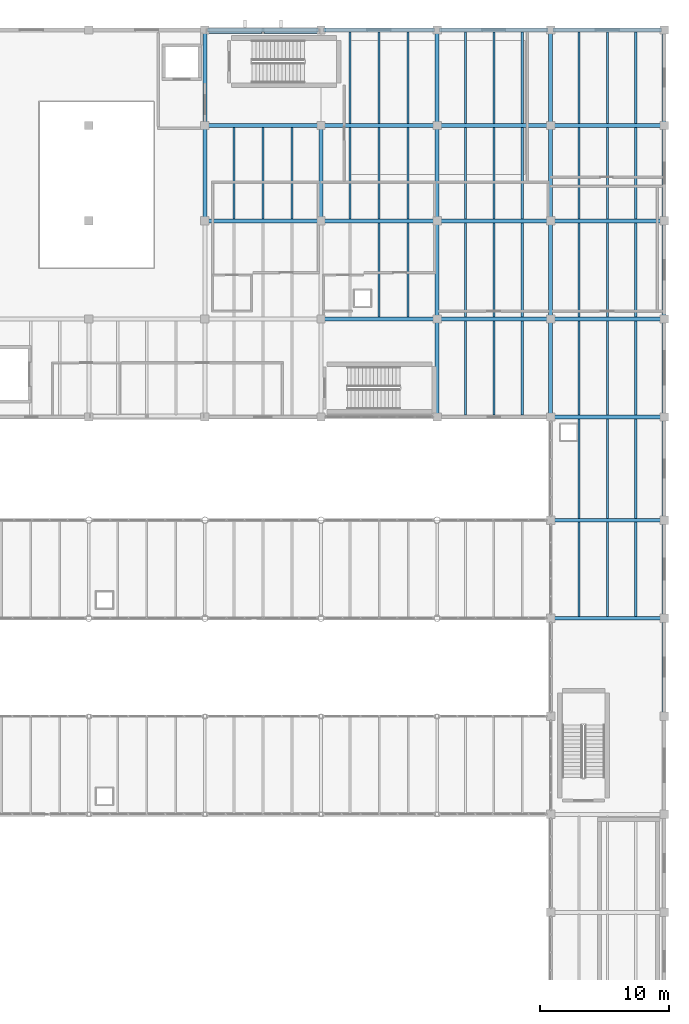
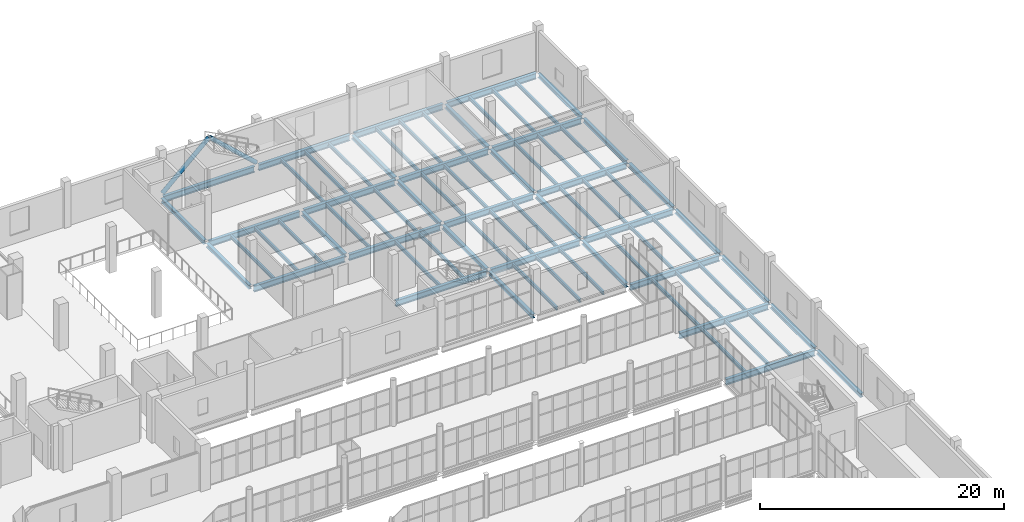
# One storey, part 123 of 172: 77 beams, 2 members.
"""IFC4 building model written with IfcOpenShell, lengths in metres."""

from ifc_helpers import new_model, si_unit, direction, frame, origin, origin_2d, place, context, subcontext, project, spatial, hollow_circle, i_section, extrude, material, material_profile, profile_set, type_object, element, save


model = new_model("IFC4")

# Units and contexts
model_context = context("Model", 3, precision=1e-05, world=origin(), true_north=direction((0.0, 1.0)))
body_context = subcontext(model_context, "Body", "Model", "MODEL_VIEW")
ifc_project = project(units=[si_unit("LENGTHUNIT", "METRE"), si_unit("AREAUNIT", "SQUARE_METRE"), si_unit("VOLUMEUNIT", "CUBIC_METRE"), si_unit("PLANEANGLEUNIT", "RADIAN"), si_unit("MASSUNIT", "GRAM", prefix="KILO")], contexts=[model_context])

# Site, building, storey
site_placement = place(None, origin())
site = spatial("IfcSite", under=ifc_project, at=site_placement, CompositionType="ELEMENT")
building_placement = place(site_placement, origin())
building = spatial("IfcBuilding", under=site, at=building_placement, Name="Shengluoqiao Park Theatre", CompositionType="ELEMENT")
storey_placement = place(building_placement, frame((0.0, 0.0, 5.39990234375)))
storey = spatial("IfcBuildingStorey", under=building, at=storey_placement, Name="L01", CompositionType="ELEMENT", Elevation=5.39990234375)

# Beams
ifc_material_1 = material(Name="Steel Q355", Category="steel")
ifc_material_profile_1 = material_profile(ifc_material_1, i_section(OverallWidth=0.300048828125, OverallDepth=0.389892578125, WebThickness=0.010009765625, FlangeThickness=0.01611328125, FilletRadius=0.01806640625, at=origin_2d()), Name="HM 390x300x10x16")
ifc_profile_set_1 = profile_set([ifc_material_profile_1], Name="Steel Q355")
beam_type_1 = type_object("IfcBeamType", Name="STR-BM-G-HM390", PredefinedType="BEAM", material=ifc_profile_set_1)
for number, where, z_axis, x_axis, name in (
    (1, (130.39990234375, 99.39404296875, -0.434814453125), (0.0, 1.0, 0.0), (-1.0, 0.0, 0.0), "L01 Transverse Girder 00651"),
    (2, (130.39990234375, 106.7939453125, -0.434814453125), (0.0, 1.0, 0.0), (-1.0, 0.0, 0.0), "L01 Transverse Girder 00652"),
    (3, (139.39990234375, 99.39404296875, -0.434814453125), (0.0, 1.0, 0.0), (-1.0, 0.0, 0.0), "L01 Transverse Girder 00655"),
):
    element("IfcBeam", number, at=place(storey_placement, frame(where, z_axis=z_axis, x_axis=x_axis)), inside=storey, type_object=beam_type_1, Name=name, PredefinedType="BEAM", context=body_context, shape_type="SweptSolid", body=[
        extrude(i_section(OverallWidth=0.300048828125, OverallDepth=0.389892578125, WebThickness=0.010009765625, FlangeThickness=0.01611328125, FilletRadius=0.01806640625, at=origin_2d()), origin(), (0.0, 0.0, 1.0), 7.011962890625),
    ])
beam_1_placement = place(storey_placement, frame((148.39990234375, 84.194091796875, -0.434814453125), z_axis=(0.0, 1.0, 0.0), x_axis=(-1.0, 0.0, 0.0)))
element("IfcBeam", 4, at=beam_1_placement, inside=storey, type_object=beam_type_1, Name="L01 Transverse Girder 00685", PredefinedType="BEAM", context=body_context, shape_type="SweptSolid", body=[
    extrude(i_section(OverallWidth=0.300048828125, OverallDepth=0.389892578125, WebThickness=0.010009765625, FlangeThickness=0.01611328125, FilletRadius=0.01806640625, at=origin_2d()), origin(), (0.0, 0.0, 1.0), 7.2119140625),
])
beam_2_placement = place(storey_placement, frame((148.39990234375, 91.7939453125, -0.434814453125), z_axis=(0.0, 1.0, 0.0), x_axis=(-1.0, 0.0, 0.0)))
element("IfcBeam", 5, at=beam_2_placement, inside=storey, type_object=beam_type_1, Name="L01 Transverse Girder 00686", PredefinedType="BEAM", context=body_context, shape_type="SweptSolid", body=[
    extrude(i_section(OverallWidth=0.300048828125, OverallDepth=0.389892578125, WebThickness=0.010009765625, FlangeThickness=0.01611328125, FilletRadius=0.01806640625, at=origin_2d()), origin(), (0.0, 0.0, 1.0), 7.212158203125),
])
for number, where, z_axis, x_axis, name in (
    (6, (148.39990234375, 99.39404296875, -0.434814453125), (0.0, 1.0, 0.0), (-1.0, 0.0, 0.0), "L01 Transverse Girder 00687"),
    (7, (148.39990234375, 106.7939453125, -0.434814453125), (0.0, 1.0, 0.0), (-1.0, 0.0, 0.0), "L01 Transverse Girder 00688"),
):
    element("IfcBeam", number, at=place(storey_placement, frame(where, z_axis=z_axis, x_axis=x_axis)), inside=storey, type_object=beam_type_1, Name=name, PredefinedType="BEAM", context=body_context, shape_type="SweptSolid", body=[
        extrude(i_section(OverallWidth=0.300048828125, OverallDepth=0.389892578125, WebThickness=0.010009765625, FlangeThickness=0.01611328125, FilletRadius=0.01806640625, at=origin_2d()), origin(), (0.0, 0.0, 1.0), 7.011962890625),
    ])
beam_3_placement = place(storey_placement, frame((157.199951171875, 84.194091796875, -0.434814453125), z_axis=(0.0, 1.0, 0.0), x_axis=(-1.0, 0.0, 0.0)))
element("IfcBeam", 8, at=beam_3_placement, inside=storey, type_object=beam_type_1, Name="L01 Transverse Girder 00689", PredefinedType="BEAM", context=body_context, shape_type="SweptSolid", body=[
    extrude(i_section(OverallWidth=0.300048828125, OverallDepth=0.389892578125, WebThickness=0.010009765625, FlangeThickness=0.01611328125, FilletRadius=0.01806640625, at=origin_2d()), origin(), (0.0, 0.0, 1.0), 7.2119140625),
])
beam_4_placement = place(storey_placement, frame((157.199951171875, 91.7939453125, -0.434814453125), z_axis=(0.0, 1.0, 0.0), x_axis=(-1.0, 0.0, 0.0)))
element("IfcBeam", 9, at=beam_4_placement, inside=storey, type_object=beam_type_1, Name="L01 Transverse Girder 00690", PredefinedType="BEAM", context=body_context, shape_type="SweptSolid", body=[
    extrude(i_section(OverallWidth=0.300048828125, OverallDepth=0.389892578125, WebThickness=0.010009765625, FlangeThickness=0.01611328125, FilletRadius=0.01806640625, at=origin_2d()), origin(), (0.0, 0.0, 1.0), 7.212158203125),
])
for number, where, z_axis, x_axis, name in (
    (10, (157.199951171875, 99.39404296875, -0.434814453125), (0.0, 1.0, 0.0), (-1.0, 0.0, 0.0), "L01 Transverse Girder 00691"),
    (11, (157.199951171875, 106.7939453125, -0.434814453125), (0.0, 1.0, 0.0), (-1.0, 0.0, 0.0), "L01 Transverse Girder 00692"),
):
    element("IfcBeam", number, at=place(storey_placement, frame(where, z_axis=z_axis, x_axis=x_axis)), inside=storey, type_object=beam_type_1, Name=name, PredefinedType="BEAM", context=body_context, shape_type="SweptSolid", body=[
        extrude(i_section(OverallWidth=0.300048828125, OverallDepth=0.389892578125, WebThickness=0.010009765625, FlangeThickness=0.01611328125, FilletRadius=0.01806640625, at=origin_2d()), origin(), (0.0, 0.0, 1.0), 7.011962890625),
    ])
beam_5_placement = place(storey_placement, frame((166.0, 84.194091796875, -0.434814453125), z_axis=(0.0, 1.0, 0.0), x_axis=(-1.0, 0.0, 0.0)))
element("IfcBeam", 12, at=beam_5_placement, inside=storey, type_object=beam_type_1, Name="L01 Transverse Girder 00693", PredefinedType="BEAM", context=body_context, shape_type="SweptSolid", body=[
    extrude(i_section(OverallWidth=0.300048828125, OverallDepth=0.389892578125, WebThickness=0.010009765625, FlangeThickness=0.01611328125, FilletRadius=0.01806640625, at=origin_2d()), origin(), (0.0, 0.0, 1.0), 7.2119140625),
])
beam_6_placement = place(storey_placement, frame((166.0, 91.7939453125, -0.434814453125), z_axis=(0.0, 1.0, 0.0), x_axis=(-1.0, 0.0, 0.0)))
element("IfcBeam", 13, at=beam_6_placement, inside=storey, type_object=beam_type_1, Name="L01 Transverse Girder 00694", PredefinedType="BEAM", context=body_context, shape_type="SweptSolid", body=[
    extrude(i_section(OverallWidth=0.300048828125, OverallDepth=0.389892578125, WebThickness=0.010009765625, FlangeThickness=0.01611328125, FilletRadius=0.01806640625, at=origin_2d()), origin(), (0.0, 0.0, 1.0), 7.212158203125),
])
for number, where, z_axis, x_axis, name in (
    (14, (166.0, 99.39404296875, -0.434814453125), (0.0, 1.0, 0.0), (-1.0, 0.0, 0.0), "L01 Transverse Girder 00695"),
    (15, (166.0, 106.7939453125, -0.434814453125), (0.0, 1.0, 0.0), (-1.0, 0.0, 0.0), "L01 Transverse Girder 00696"),
):
    element("IfcBeam", number, at=place(storey_placement, frame(where, z_axis=z_axis, x_axis=x_axis)), inside=storey, type_object=beam_type_1, Name=name, PredefinedType="BEAM", context=body_context, shape_type="SweptSolid", body=[
        extrude(i_section(OverallWidth=0.300048828125, OverallDepth=0.389892578125, WebThickness=0.010009765625, FlangeThickness=0.01611328125, FilletRadius=0.01806640625, at=origin_2d()), origin(), (0.0, 0.0, 1.0), 7.011962890625),
    ])
beam_7_placement = place(storey_placement, frame((166.0, 60.993896484375, -0.434814453125), z_axis=(0.0, 1.0, 0.0), x_axis=(-1.0, 0.0, 0.0)))
element("IfcBeam", 16, at=beam_7_placement, inside=storey, type_object=beam_type_1, Name="L01 Transverse Girder 00748", PredefinedType="BEAM", context=body_context, shape_type="SweptSolid", body=[
    extrude(i_section(OverallWidth=0.300048828125, OverallDepth=0.389892578125, WebThickness=0.010009765625, FlangeThickness=0.01611328125, FilletRadius=0.01806640625, at=origin_2d()), origin(), (0.0, 0.0, 1.0), 7.212158203125),
])
beam_8_placement = place(storey_placement, frame((166.0, 68.593994140625, -0.434814453125), z_axis=(0.0, 1.0, 0.0), x_axis=(-1.0, 0.0, 0.0)))
element("IfcBeam", 17, at=beam_8_placement, inside=storey, type_object=beam_type_1, Name="L01 Transverse Girder 00749", PredefinedType="BEAM", context=body_context, shape_type="SweptSolid", body=[
    extrude(i_section(OverallWidth=0.300048828125, OverallDepth=0.389892578125, WebThickness=0.010009765625, FlangeThickness=0.01611328125, FilletRadius=0.01806640625, at=origin_2d()), origin(), (0.0, 0.0, 1.0), 7.2119140625),
])
beam_9_placement = place(storey_placement, frame((166.0, 76.194091796875, -0.434814453125), z_axis=(0.0, 1.0, 0.0), x_axis=(-1.0, 0.0, 0.0)))
element("IfcBeam", 18, at=beam_9_placement, inside=storey, type_object=beam_type_1, Name="L01 Transverse Girder 00750", PredefinedType="BEAM", context=body_context, shape_type="SweptSolid", body=[
    extrude(i_section(OverallWidth=0.300048828125, OverallDepth=0.389892578125, WebThickness=0.010009765625, FlangeThickness=0.01611328125, FilletRadius=0.01806640625, at=origin_2d()), origin(), (0.0, 0.0, 1.0), 7.61181640625),
])
ifc_material_profile_2 = material_profile(ifc_material_1, i_section(OverallWidth=0.300048828125, OverallDepth=0.587890625, WebThickness=0.011962890625, FlangeThickness=0.02001953125, FilletRadius=0.02392578125, at=origin_2d()), Name="HM 588x300x12x20")
ifc_profile_set_2 = profile_set([ifc_material_profile_2], Name="Steel Q355")
beam_type_2 = type_object("IfcBeamType", Name="STR-BM-G-HM588", PredefinedType="BEAM", material=ifc_profile_set_2)
for number, where, z_axis, x_axis, name in (
    (19, (130.597900390625, 99.199951171875, -0.533935546875), (1.0, 0.0, 0.0), (0.0, 1.0, 0.0), "L01 Primary Girder 00643"),
    (20, (130.597900390625, 106.60009765625, -0.533935546875), (1.0, 0.0, 0.0), (0.0, 1.0, 0.0), "L01 Primary Girder 00644"),
    (21, (130.597900390625, 114.0, -0.533935546875), (1.0, 0.0, 0.0), (0.0, 1.0, 0.0), "L01 Primary Girder 00647"),
):
    element("IfcBeam", number, at=place(storey_placement, frame(where, z_axis=z_axis, x_axis=x_axis)), inside=storey, type_object=beam_type_2, Name=name, PredefinedType="BEAM", context=body_context, shape_type="SweptSolid", body=[
        extrude(i_section(OverallWidth=0.300048828125, OverallDepth=0.587890625, WebThickness=0.011962890625, FlangeThickness=0.02001953125, FilletRadius=0.02392578125, at=origin_2d()), origin(), (0.0, 0.0, 1.0), 8.60400390625),
    ])
beam_10_placement = place(storey_placement, frame((157.39794921875, 84.0, -0.533935546875), z_axis=(1.0, 0.0, 0.0), x_axis=(0.0, 1.0, 0.0)))
element("IfcBeam", 22, at=beam_10_placement, inside=storey, type_object=beam_type_2, Name="L01 Primary Girder 00672", PredefinedType="BEAM", context=body_context, shape_type="SweptSolid", body=[
    extrude(i_section(OverallWidth=0.300048828125, OverallDepth=0.587890625, WebThickness=0.011962890625, FlangeThickness=0.02001953125, FilletRadius=0.02392578125, at=origin_2d()), origin(), (0.0, 0.0, 1.0), 8.404052734375),
])
beam_11_placement = place(storey_placement, frame((139.597900390625, 91.60009765625, -0.533935546875), z_axis=(1.0, 0.0, 0.0), x_axis=(0.0, 1.0, 0.0)))
element("IfcBeam", 23, at=beam_11_placement, inside=storey, type_object=beam_type_2, Name="L01 Primary Girder 00673", PredefinedType="BEAM", context=body_context, shape_type="SweptSolid", body=[
    extrude(i_section(OverallWidth=0.300048828125, OverallDepth=0.587890625, WebThickness=0.011962890625, FlangeThickness=0.02001953125, FilletRadius=0.02392578125, at=origin_2d()), origin(), (0.0, 0.0, 1.0), 8.60400390625),
])
for number, where, z_axis, x_axis, name in (
    (24, (148.597900390625, 91.60009765625, -0.533935546875), (1.0, 0.0, 0.0), (0.0, 1.0, 0.0), "L01 Primary Girder 00674"),
    (25, (157.39794921875, 91.60009765625, -0.533935546875), (1.0, 0.0, 0.0), (0.0, 1.0, 0.0), "L01 Primary Girder 00675"),
):
    element("IfcBeam", number, at=place(storey_placement, frame(where, z_axis=z_axis, x_axis=x_axis)), inside=storey, type_object=beam_type_2, Name=name, PredefinedType="BEAM", context=body_context, shape_type="SweptSolid", body=[
        extrude(i_section(OverallWidth=0.300048828125, OverallDepth=0.587890625, WebThickness=0.011962890625, FlangeThickness=0.02001953125, FilletRadius=0.02392578125, at=origin_2d()), origin(), (0.0, 0.0, 1.0), 8.404052734375),
    ])
beam_12_placement = place(storey_placement, frame((139.597900390625, 99.199951171875, -0.533935546875), z_axis=(1.0, 0.0, 0.0), x_axis=(0.0, 1.0, 0.0)))
element("IfcBeam", 26, at=beam_12_placement, inside=storey, type_object=beam_type_2, Name="L01 Primary Girder 00676", PredefinedType="BEAM", context=body_context, shape_type="SweptSolid", body=[
    extrude(i_section(OverallWidth=0.300048828125, OverallDepth=0.587890625, WebThickness=0.011962890625, FlangeThickness=0.02001953125, FilletRadius=0.02392578125, at=origin_2d()), origin(), (0.0, 0.0, 1.0), 8.60400390625),
])
for number, where, z_axis, x_axis, name in (
    (27, (148.597900390625, 99.199951171875, -0.533935546875), (1.0, 0.0, 0.0), (0.0, 1.0, 0.0), "L01 Primary Girder 00677"),
    (28, (157.39794921875, 99.199951171875, -0.533935546875), (1.0, 0.0, 0.0), (0.0, 1.0, 0.0), "L01 Primary Girder 00678"),
):
    element("IfcBeam", number, at=place(storey_placement, frame(where, z_axis=z_axis, x_axis=x_axis)), inside=storey, type_object=beam_type_2, Name=name, PredefinedType="BEAM", context=body_context, shape_type="SweptSolid", body=[
        extrude(i_section(OverallWidth=0.300048828125, OverallDepth=0.587890625, WebThickness=0.011962890625, FlangeThickness=0.02001953125, FilletRadius=0.02392578125, at=origin_2d()), origin(), (0.0, 0.0, 1.0), 8.404052734375),
    ])
beam_13_placement = place(storey_placement, frame((139.597900390625, 106.60009765625, -0.533935546875), z_axis=(1.0, 0.0, 0.0), x_axis=(0.0, 1.0, 0.0)))
element("IfcBeam", 29, at=beam_13_placement, inside=storey, type_object=beam_type_2, Name="L01 Primary Girder 00679", PredefinedType="BEAM", context=body_context, shape_type="SweptSolid", body=[
    extrude(i_section(OverallWidth=0.300048828125, OverallDepth=0.587890625, WebThickness=0.011962890625, FlangeThickness=0.02001953125, FilletRadius=0.02392578125, at=origin_2d()), origin(), (0.0, 0.0, 1.0), 8.60400390625),
])
for number, where, z_axis, x_axis, name in (
    (30, (148.597900390625, 106.60009765625, -0.533935546875), (1.0, 0.0, 0.0), (0.0, 1.0, 0.0), "L01 Primary Girder 00680"),
    (31, (157.39794921875, 106.60009765625, -0.533935546875), (1.0, 0.0, 0.0), (0.0, 1.0, 0.0), "L01 Primary Girder 00681"),
):
    element("IfcBeam", number, at=place(storey_placement, frame(where, z_axis=z_axis, x_axis=x_axis)), inside=storey, type_object=beam_type_2, Name=name, PredefinedType="BEAM", context=body_context, shape_type="SweptSolid", body=[
        extrude(i_section(OverallWidth=0.300048828125, OverallDepth=0.587890625, WebThickness=0.011962890625, FlangeThickness=0.02001953125, FilletRadius=0.02392578125, at=origin_2d()), origin(), (0.0, 0.0, 1.0), 8.404052734375),
    ])
beam_14_placement = place(storey_placement, frame((139.597900390625, 114.0, -0.533935546875), z_axis=(1.0, 0.0, 0.0), x_axis=(0.0, 1.0, 0.0)))
element("IfcBeam", 32, at=beam_14_placement, inside=storey, type_object=beam_type_2, Name="L01 Primary Girder 00682", PredefinedType="BEAM", context=body_context, shape_type="SweptSolid", body=[
    extrude(i_section(OverallWidth=0.300048828125, OverallDepth=0.587890625, WebThickness=0.011962890625, FlangeThickness=0.02001953125, FilletRadius=0.02392578125, at=origin_2d()), origin(), (0.0, 0.0, 1.0), 8.60400390625),
])
for number, where, z_axis, x_axis, name in (
    (33, (148.597900390625, 114.0, -0.533935546875), (1.0, 0.0, 0.0), (0.0, 1.0, 0.0), "L01 Primary Girder 00683"),
    (34, (157.39794921875, 114.0, -0.533935546875), (1.0, 0.0, 0.0), (0.0, 1.0, 0.0), "L01 Primary Girder 00684"),
    (35, (157.39794921875, 68.39990234375, -0.533935546875), (1.0, 0.0, 0.0), (0.0, 1.0, 0.0), "L01 Primary Girder 00735"),
    (36, (157.39794921875, 76.0, -0.533935546875), (1.0, 0.0, 0.0), (0.0, 1.0, 0.0), "L01 Primary Girder 00736"),
):
    element("IfcBeam", number, at=place(storey_placement, frame(where, z_axis=z_axis, x_axis=x_axis)), inside=storey, type_object=beam_type_2, Name=name, PredefinedType="BEAM", context=body_context, shape_type="SweptSolid", body=[
        extrude(i_section(OverallWidth=0.300048828125, OverallDepth=0.587890625, WebThickness=0.011962890625, FlangeThickness=0.02001953125, FilletRadius=0.02392578125, at=origin_2d()), origin(), (0.0, 0.0, 1.0), 8.404052734375),
    ])
ifc_material_profile_3 = material_profile(ifc_material_1, i_section(OverallWidth=0.175048828125, OverallDepth=0.35009765625, WebThickness=0.007080078125, FlangeThickness=0.010986328125, FilletRadius=0.013916015625, at=origin_2d()), Name="HN 350x175x7x11")
ifc_profile_set_3 = profile_set([ifc_material_profile_3], Name="Steel Q355")
beam_type_3 = type_object("IfcBeamType", Name="STR-BM-J-HN350", PredefinedType="JOIST", material=ifc_profile_set_3)
for number, where, z_axis, x_axis, name in (
    (37, (132.64990234375, 99.344970703125, -0.414794921875), (0.0, 1.0, 0.0), (-1.0, 0.0, 0.0), "L01 Composite Joist 00667"),
    (38, (134.89990234375, 99.344970703125, -0.414794921875), (0.0, 1.0, 0.0), (-1.0, 0.0, 0.0), "L01 Composite Joist 00668"),
    (39, (137.14990234375, 99.344970703125, -0.414794921875), (0.0, 1.0, 0.0), (-1.0, 0.0, 0.0), "L01 Composite Joist 00669"),
):
    element("IfcBeam", number, at=place(storey_placement, frame(where, z_axis=z_axis, x_axis=x_axis)), inside=storey, type_object=beam_type_3, Name=name, PredefinedType="JOIST", context=body_context, shape_type="SweptSolid", body=[
        extrude(i_section(OverallWidth=0.175048828125, OverallDepth=0.35009765625, WebThickness=0.007080078125, FlangeThickness=0.010986328125, FilletRadius=0.013916015625, at=origin_2d()), origin(), (0.0, 0.0, 1.0), 7.110107421875),
    ])
for number, where, z_axis, x_axis, name in (
    (40, (143.89990234375, 91.7451171875, -0.414794921875), (0.0, 1.0, 0.0), (-1.0, 0.0, 0.0), "L01 Composite Joist 00698"),
    (41, (146.14990234375, 91.7451171875, -0.414794921875), (0.0, 1.0, 0.0), (-1.0, 0.0, 0.0), "L01 Composite Joist 00699"),
):
    element("IfcBeam", number, at=place(storey_placement, frame(where, z_axis=z_axis, x_axis=x_axis)), inside=storey, type_object=beam_type_3, Name=name, PredefinedType="JOIST", context=body_context, shape_type="SweptSolid", body=[
        extrude(i_section(OverallWidth=0.175048828125, OverallDepth=0.35009765625, WebThickness=0.007080078125, FlangeThickness=0.010986328125, FilletRadius=0.013916015625, at=origin_2d()), origin(), (0.0, 0.0, 1.0), 7.309814453125),
    ])
for number, where, z_axis, x_axis, name in (
    (42, (141.64990234375, 99.344970703125, -0.414794921875), (0.0, 1.0, 0.0), (-1.0, 0.0, 0.0), "L01 Composite Joist 00700"),
    (43, (143.89990234375, 99.344970703125, -0.414794921875), (0.0, 1.0, 0.0), (-1.0, 0.0, 0.0), "L01 Composite Joist 00701"),
    (44, (146.14990234375, 99.344970703125, -0.414794921875), (0.0, 1.0, 0.0), (-1.0, 0.0, 0.0), "L01 Composite Joist 00702"),
):
    element("IfcBeam", number, at=place(storey_placement, frame(where, z_axis=z_axis, x_axis=x_axis)), inside=storey, type_object=beam_type_3, Name=name, PredefinedType="JOIST", context=body_context, shape_type="SweptSolid", body=[
        extrude(i_section(OverallWidth=0.175048828125, OverallDepth=0.35009765625, WebThickness=0.007080078125, FlangeThickness=0.010986328125, FilletRadius=0.013916015625, at=origin_2d()), origin(), (0.0, 0.0, 1.0), 7.110107421875),
    ])
for number, where, z_axis, x_axis, name in (
    (45, (141.64990234375, 106.7451171875, -0.414794921875), (0.0, 1.0, 0.0), (-1.0, 0.0, 0.0), "L01 Composite Joist 00703"),
    (46, (143.89990234375, 106.7451171875, -0.414794921875), (0.0, 1.0, 0.0), (-1.0, 0.0, 0.0), "L01 Composite Joist 00704"),
    (47, (146.14990234375, 106.7451171875, -0.414794921875), (0.0, 1.0, 0.0), (-1.0, 0.0, 0.0), "L01 Composite Joist 00705"),
):
    element("IfcBeam", number, at=place(storey_placement, frame(where, z_axis=z_axis, x_axis=x_axis)), inside=storey, type_object=beam_type_3, Name=name, PredefinedType="JOIST", context=body_context, shape_type="SweptSolid", body=[
        extrude(i_section(OverallWidth=0.175048828125, OverallDepth=0.35009765625, WebThickness=0.007080078125, FlangeThickness=0.010986328125, FilletRadius=0.013916015625, at=origin_2d()), origin(), (0.0, 0.0, 1.0), 7.10986328125),
    ])
for number, where, z_axis, x_axis, name in (
    (48, (150.60009765625, 84.14501953125, -0.414794921875), (0.0, 1.0, 0.0), (-1.0, 0.0, 0.0), "L01 Composite Joist 00706"),
    (49, (152.800048828125, 84.14501953125, -0.414794921875), (0.0, 1.0, 0.0), (-1.0, 0.0, 0.0), "L01 Composite Joist 00707"),
    (50, (155.0, 84.14501953125, -0.414794921875), (0.0, 1.0, 0.0), (-1.0, 0.0, 0.0), "L01 Composite Joist 00708"),
):
    element("IfcBeam", number, at=place(storey_placement, frame(where, z_axis=z_axis, x_axis=x_axis)), inside=storey, type_object=beam_type_3, Name=name, PredefinedType="JOIST", context=body_context, shape_type="SweptSolid", body=[
        extrude(i_section(OverallWidth=0.175048828125, OverallDepth=0.35009765625, WebThickness=0.007080078125, FlangeThickness=0.010986328125, FilletRadius=0.013916015625, at=origin_2d()), origin(), (0.0, 0.0, 1.0), 7.31005859375),
    ])
for number, where, z_axis, x_axis, name in (
    (51, (150.60009765625, 91.7451171875, -0.414794921875), (0.0, 1.0, 0.0), (-1.0, 0.0, 0.0), "L01 Composite Joist 00709"),
    (52, (152.800048828125, 91.7451171875, -0.414794921875), (0.0, 1.0, 0.0), (-1.0, 0.0, 0.0), "L01 Composite Joist 00710"),
    (53, (155.0, 91.7451171875, -0.414794921875), (0.0, 1.0, 0.0), (-1.0, 0.0, 0.0), "L01 Composite Joist 00711"),
):
    element("IfcBeam", number, at=place(storey_placement, frame(where, z_axis=z_axis, x_axis=x_axis)), inside=storey, type_object=beam_type_3, Name=name, PredefinedType="JOIST", context=body_context, shape_type="SweptSolid", body=[
        extrude(i_section(OverallWidth=0.175048828125, OverallDepth=0.35009765625, WebThickness=0.007080078125, FlangeThickness=0.010986328125, FilletRadius=0.013916015625, at=origin_2d()), origin(), (0.0, 0.0, 1.0), 7.309814453125),
    ])
for number, where, z_axis, x_axis, name in (
    (54, (150.60009765625, 99.344970703125, -0.414794921875), (0.0, 1.0, 0.0), (-1.0, 0.0, 0.0), "L01 Composite Joist 00712"),
    (55, (152.800048828125, 99.344970703125, -0.414794921875), (0.0, 1.0, 0.0), (-1.0, 0.0, 0.0), "L01 Composite Joist 00713"),
    (56, (155.0, 99.344970703125, -0.414794921875), (0.0, 1.0, 0.0), (-1.0, 0.0, 0.0), "L01 Composite Joist 00714"),
):
    element("IfcBeam", number, at=place(storey_placement, frame(where, z_axis=z_axis, x_axis=x_axis)), inside=storey, type_object=beam_type_3, Name=name, PredefinedType="JOIST", context=body_context, shape_type="SweptSolid", body=[
        extrude(i_section(OverallWidth=0.175048828125, OverallDepth=0.35009765625, WebThickness=0.007080078125, FlangeThickness=0.010986328125, FilletRadius=0.013916015625, at=origin_2d()), origin(), (0.0, 0.0, 1.0), 7.110107421875),
    ])
for number, where, z_axis, x_axis, name in (
    (57, (150.60009765625, 106.7451171875, -0.414794921875), (0.0, 1.0, 0.0), (-1.0, 0.0, 0.0), "L01 Composite Joist 00715"),
    (58, (152.800048828125, 106.7451171875, -0.414794921875), (0.0, 1.0, 0.0), (-1.0, 0.0, 0.0), "L01 Composite Joist 00716"),
    (59, (155.0, 106.7451171875, -0.414794921875), (0.0, 1.0, 0.0), (-1.0, 0.0, 0.0), "L01 Composite Joist 00717"),
):
    element("IfcBeam", number, at=place(storey_placement, frame(where, z_axis=z_axis, x_axis=x_axis)), inside=storey, type_object=beam_type_3, Name=name, PredefinedType="JOIST", context=body_context, shape_type="SweptSolid", body=[
        extrude(i_section(OverallWidth=0.175048828125, OverallDepth=0.35009765625, WebThickness=0.007080078125, FlangeThickness=0.010986328125, FilletRadius=0.013916015625, at=origin_2d()), origin(), (0.0, 0.0, 1.0), 7.10986328125),
    ])
for number, where, z_axis, x_axis, name in (
    (60, (159.39990234375, 84.14501953125, -0.414794921875), (0.0, 1.0, 0.0), (-1.0, 0.0, 0.0), "L01 Composite Joist 00718"),
    (61, (161.60009765625, 84.14501953125, -0.414794921875), (0.0, 1.0, 0.0), (-1.0, 0.0, 0.0), "L01 Composite Joist 00719"),
    (62, (163.800048828125, 84.14501953125, -0.414794921875), (0.0, 1.0, 0.0), (-1.0, 0.0, 0.0), "L01 Composite Joist 00720"),
):
    element("IfcBeam", number, at=place(storey_placement, frame(where, z_axis=z_axis, x_axis=x_axis)), inside=storey, type_object=beam_type_3, Name=name, PredefinedType="JOIST", context=body_context, shape_type="SweptSolid", body=[
        extrude(i_section(OverallWidth=0.175048828125, OverallDepth=0.35009765625, WebThickness=0.007080078125, FlangeThickness=0.010986328125, FilletRadius=0.013916015625, at=origin_2d()), origin(), (0.0, 0.0, 1.0), 7.31005859375),
    ])
for number, where, z_axis, x_axis, name in (
    (63, (159.39990234375, 91.7451171875, -0.414794921875), (0.0, 1.0, 0.0), (-1.0, 0.0, 0.0), "L01 Composite Joist 00721"),
    (64, (161.60009765625, 91.7451171875, -0.414794921875), (0.0, 1.0, 0.0), (-1.0, 0.0, 0.0), "L01 Composite Joist 00722"),
    (65, (163.800048828125, 91.7451171875, -0.414794921875), (0.0, 1.0, 0.0), (-1.0, 0.0, 0.0), "L01 Composite Joist 00723"),
):
    element("IfcBeam", number, at=place(storey_placement, frame(where, z_axis=z_axis, x_axis=x_axis)), inside=storey, type_object=beam_type_3, Name=name, PredefinedType="JOIST", context=body_context, shape_type="SweptSolid", body=[
        extrude(i_section(OverallWidth=0.175048828125, OverallDepth=0.35009765625, WebThickness=0.007080078125, FlangeThickness=0.010986328125, FilletRadius=0.013916015625, at=origin_2d()), origin(), (0.0, 0.0, 1.0), 7.309814453125),
    ])
for number, where, z_axis, x_axis, name in (
    (66, (159.39990234375, 99.344970703125, -0.414794921875), (0.0, 1.0, 0.0), (-1.0, 0.0, 0.0), "L01 Composite Joist 00724"),
    (67, (161.60009765625, 99.344970703125, -0.414794921875), (0.0, 1.0, 0.0), (-1.0, 0.0, 0.0), "L01 Composite Joist 00725"),
    (68, (163.800048828125, 99.344970703125, -0.414794921875), (0.0, 1.0, 0.0), (-1.0, 0.0, 0.0), "L01 Composite Joist 00726"),
):
    element("IfcBeam", number, at=place(storey_placement, frame(where, z_axis=z_axis, x_axis=x_axis)), inside=storey, type_object=beam_type_3, Name=name, PredefinedType="JOIST", context=body_context, shape_type="SweptSolid", body=[
        extrude(i_section(OverallWidth=0.175048828125, OverallDepth=0.35009765625, WebThickness=0.007080078125, FlangeThickness=0.010986328125, FilletRadius=0.013916015625, at=origin_2d()), origin(), (0.0, 0.0, 1.0), 7.110107421875),
    ])
for number, where, z_axis, x_axis, name in (
    (69, (159.39990234375, 106.7451171875, -0.414794921875), (0.0, 1.0, 0.0), (-1.0, 0.0, 0.0), "L01 Composite Joist 00727"),
    (70, (161.60009765625, 106.7451171875, -0.414794921875), (0.0, 1.0, 0.0), (-1.0, 0.0, 0.0), "L01 Composite Joist 00728"),
    (71, (163.800048828125, 106.7451171875, -0.414794921875), (0.0, 1.0, 0.0), (-1.0, 0.0, 0.0), "L01 Composite Joist 00729"),
):
    element("IfcBeam", number, at=place(storey_placement, frame(where, z_axis=z_axis, x_axis=x_axis)), inside=storey, type_object=beam_type_3, Name=name, PredefinedType="JOIST", context=body_context, shape_type="SweptSolid", body=[
        extrude(i_section(OverallWidth=0.175048828125, OverallDepth=0.35009765625, WebThickness=0.007080078125, FlangeThickness=0.010986328125, FilletRadius=0.013916015625, at=origin_2d()), origin(), (0.0, 0.0, 1.0), 7.10986328125),
    ])
for number, where, z_axis, x_axis, name in (
    (72, (159.39990234375, 68.544921875, -0.414794921875), (0.0, 1.0, 0.0), (-1.0, 0.0, 0.0), "L01 Composite Joist 00763"),
    (73, (161.60009765625, 68.544921875, -0.414794921875), (0.0, 1.0, 0.0), (-1.0, 0.0, 0.0), "L01 Composite Joist 00764"),
    (74, (163.800048828125, 68.544921875, -0.414794921875), (0.0, 1.0, 0.0), (-1.0, 0.0, 0.0), "L01 Composite Joist 00765"),
):
    element("IfcBeam", number, at=place(storey_placement, frame(where, z_axis=z_axis, x_axis=x_axis)), inside=storey, type_object=beam_type_3, Name=name, PredefinedType="JOIST", context=body_context, shape_type="SweptSolid", body=[
        extrude(i_section(OverallWidth=0.175048828125, OverallDepth=0.35009765625, WebThickness=0.007080078125, FlangeThickness=0.010986328125, FilletRadius=0.013916015625, at=origin_2d()), origin(), (0.0, 0.0, 1.0), 7.31005859375),
    ])
for number, where, z_axis, x_axis, name in (
    (75, (159.39990234375, 76.14501953125, -0.414794921875), (0.0, 1.0, 0.0), (-1.0, 0.0, 0.0), "L01 Composite Joist 00766"),
    (76, (161.60009765625, 76.14501953125, -0.414794921875), (0.0, 1.0, 0.0), (-1.0, 0.0, 0.0), "L01 Composite Joist 00767"),
    (77, (163.800048828125, 76.14501953125, -0.414794921875), (0.0, 1.0, 0.0), (-1.0, 0.0, 0.0), "L01 Composite Joist 00768"),
):
    element("IfcBeam", number, at=place(storey_placement, frame(where, z_axis=z_axis, x_axis=x_axis)), inside=storey, type_object=beam_type_3, Name=name, PredefinedType="JOIST", context=body_context, shape_type="SweptSolid", body=[
        extrude(i_section(OverallWidth=0.175048828125, OverallDepth=0.35009765625, WebThickness=0.007080078125, FlangeThickness=0.010986328125, FilletRadius=0.013916015625, at=origin_2d()), origin(), (0.0, 0.0, 1.0), 7.7099609375),
    ])

# Members
ifc_material_2 = material(Name="Steel Q390", Category="steel")
ifc_material_profile_4 = material_profile(ifc_material_2, hollow_circle(Radius=0.202880859375, WallThickness=0.01611328125, at=origin_2d()), Name="CHS 406x16")
ifc_profile_set_4 = profile_set([ifc_material_profile_4], Name="Steel Q390")
member_type = type_object("IfcMemberType", Name="STR-MEM-BRC-406", PredefinedType="BRACE", material=ifc_profile_set_4)
for number, where, z_axis, x_axis, name in (
    (78, (130.489990234375, 113.919921875, 0.1025390625), (0.735835523568, 0.0, 0.677160307649), (0.0, 1.0, 0.0), "L01 Chevron Brace 0015"),
    (79, (139.31005859375, 113.919921875, 0.1025390625), (-0.735835523568, 0.0, 0.677160307649), (0.0, -1.0, 0.0), "L01 Chevron Brace 0016"),
):
    element("IfcMember", number, at=place(storey_placement, frame(where, z_axis=z_axis, x_axis=x_axis)), inside=storey, type_object=member_type, Name=name, PredefinedType="BRACE", context=body_context, shape_type="SweptSolid", body=[
        extrude(hollow_circle(Radius=0.202880859375, WallThickness=0.01611328125, at=origin_2d()), origin(), (0.0, 0.0, 1.0), 5.962646484375),
    ])

save(model, "model.ifc")
